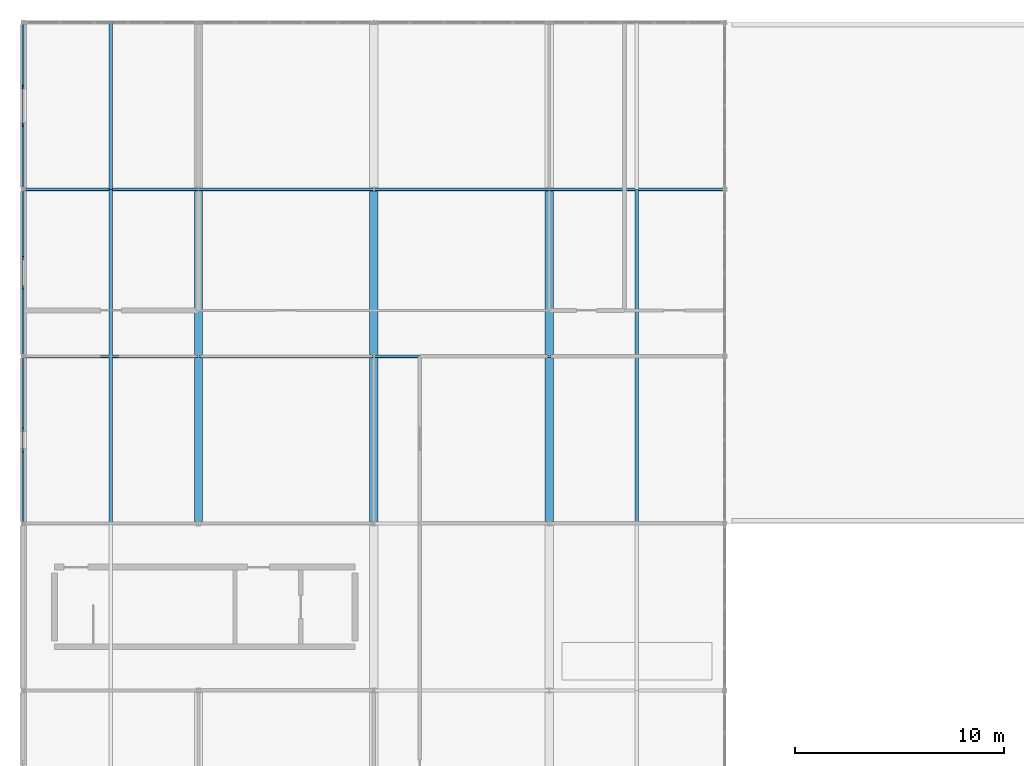
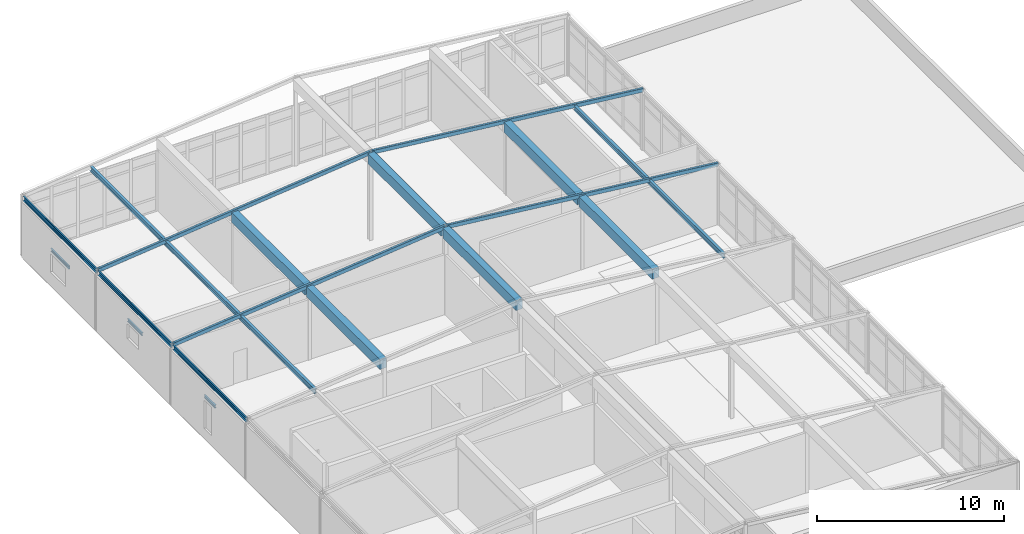
# One storey, part 11 of 25: 17 beams, 4 members.
"""IFC4 building model written with IfcOpenShell, lengths in metres."""

from ifc_helpers import new_model, si_unit, direction, frame, origin, origin_2d, place, context, subcontext, project, spatial, rectangle, hollow_rectangle, i_section, u_section, extrude, material, material_profile, profile_set, type_object, element, save


model = new_model("IFC4")

# Units and contexts
model_context = context("Model", 3, precision=1e-05, world=origin(), true_north=direction((0.0, 1.0)))
body_context = subcontext(model_context, "Body", "Model", "MODEL_VIEW")
ifc_project = project(units=[si_unit("LENGTHUNIT", "METRE"), si_unit("AREAUNIT", "SQUARE_METRE"), si_unit("VOLUMEUNIT", "CUBIC_METRE"), si_unit("PLANEANGLEUNIT", "RADIAN"), si_unit("MASSUNIT", "GRAM", prefix="KILO")], contexts=[model_context])

# Site, building, storey
site_placement = place(None, origin())
site = spatial("IfcSite", under=ifc_project, at=site_placement, CompositionType="ELEMENT")
building_placement = place(site_placement, origin())
building = spatial("IfcBuilding", under=site, at=building_placement, Name="Kranzveld Transit Interchange", CompositionType="ELEMENT")
storey_placement = place(building_placement, frame((0.0, 0.0, 21.0400390625)))
storey = spatial("IfcBuildingStorey", under=building, at=storey_placement, Name="L05", CompositionType="ELEMENT", Elevation=21.0400390625)

# Beams
ifc_material_1 = material(Name="Concrete C35/45", Category="concrete")
ifc_material_profile_1 = material_profile(ifc_material_1, rectangle(XDim=0.39990234375, YDim=0.64990234375, at=origin_2d()), Name="RC 400x650")
ifc_profile_set_1 = profile_set([ifc_material_profile_1], Name="Concrete C35/45")
beam_type_1 = type_object("IfcBeamType", Name="Beam RC 400x650 C35/45", PredefinedType="BEAM", material=ifc_profile_set_1)
for number, where, z_axis, x_axis, name in (
    (1, (8.39990234375, 88.091552734375, 4.494873046875), (0.0, 1.0, 0.0), (-1.0, 0.0, 0.0), "L05 Crown Beam 02/M-N"),
    (2, (8.39990234375, 96.091552734375, 4.494873046875), (0.0, 1.0, 0.0), (-1.0, 0.0, 0.0), "L05 Crown Beam 02/N-P"),
    (3, (16.800048828125, 88.091552734375, 5.39501953125), (0.0, 1.0, 0.0), (-1.0, 0.0, 0.0), "L05 Crown Beam 03/M-N"),
    (4, (16.800048828125, 96.091552734375, 5.39501953125), (0.0, 1.0, 0.0), (-1.0, 0.0, 0.0), "L05 Crown Beam 03/N-P"),
    (5, (25.199951171875, 88.091552734375, 4.494873046875), (0.0, 1.0, 0.0), (-1.0, 0.0, 0.0), "L05 Crown Beam 04/M-N"),
    (6, (25.199951171875, 96.091552734375, 4.494873046875), (0.0, 1.0, 0.0), (-1.0, 0.0, 0.0), "L05 Crown Beam 04/N-P"),
):
    element("IfcBeam", number, at=place(storey_placement, frame(where, z_axis=z_axis, x_axis=x_axis)), inside=storey, type_object=beam_type_1, Name=name, PredefinedType="BEAM", context=body_context, shape_type="SweptSolid", body=[
        extrude(rectangle(XDim=0.39990234375, YDim=0.64990234375, at=origin_2d()), origin(), (0.0, 0.0, 1.0), 7.81689453125),
    ])
ifc_material_2 = material(Name="Steel S355JR", Category="steel")
ifc_material_profile_2 = material_profile(ifc_material_2, u_section(Depth=0.300048828125, FlangeWidth=0.090087890625, WebThickness=0.009033203125, FlangeThickness=0.015380859375, FilletRadius=0.011962890625, at=origin_2d()), Name="PFC 300x90x41")
ifc_profile_set_2 = profile_set([ifc_material_profile_2], Name="Steel S355JR")
beam_type_2 = type_object("IfcBeamType", Name="Edge Spandrel PFC 300x90x41 S355JR", PredefinedType="SPANDREL", material=ifc_profile_set_2)
beam_1_placement = place(storey_placement, frame((0.0, 88.080078125, 3.77001953125), z_axis=(0.0, 1.0, 0.0), x_axis=(-1.0, 0.0, 0.0)))
element("IfcBeam", 7, at=beam_1_placement, inside=storey, type_object=beam_type_2, Name="L05 Crown Beam 01/M-N", PredefinedType="SPANDREL", context=body_context, shape_type="SweptSolid", body=[
    extrude(u_section(Depth=0.300048828125, FlangeWidth=0.090087890625, WebThickness=0.009033203125, FlangeThickness=0.015380859375, FilletRadius=0.011962890625, at=origin_2d()), origin(), (0.0, 0.0, 1.0), 7.829833984375),
])
for number, where, z_axis, x_axis, name in (
    (8, (0.0, 96.090087890625, 3.77001953125), (0.0, 1.0, 0.0), (-1.0, 0.0, 0.0), "L05 Crown Beam 01/N-P"),
    (9, (0.0, 104.090087890625, 3.77001953125), (0.0, 1.0, 0.0), (-1.0, 0.0, 0.0), "L05 Crown Beam 01/P-Q"),
):
    element("IfcBeam", number, at=place(storey_placement, frame(where, z_axis=z_axis, x_axis=x_axis)), inside=storey, type_object=beam_type_2, Name=name, PredefinedType="SPANDREL", context=body_context, shape_type="SweptSolid", body=[
        extrude(u_section(Depth=0.300048828125, FlangeWidth=0.090087890625, WebThickness=0.009033203125, FlangeThickness=0.015380859375, FilletRadius=0.011962890625, at=origin_2d()), origin(), (0.0, 0.0, 1.0), 7.81982421875),
    ])
ifc_material_3 = material(Name="Steel S355JR", Category="steel")
ifc_material_profile_3 = material_profile(ifc_material_3, u_section(Depth=0.199951171875, FlangeWidth=0.074951171875, WebThickness=0.006103515625, FlangeThickness=0.012451171875, FilletRadius=0.011962890625, at=origin_2d()), Name="PFC 200x75x23")
ifc_profile_set_3 = profile_set([ifc_material_profile_3], Name="Steel S355JR")
beam_type_3 = type_object("IfcBeamType", Name="Masonry Lintel PFC 200x75x23 S355JR", PredefinedType="LINTEL", material=ifc_profile_set_3)
beam_2_placement = place(storey_placement, frame((0.0, 107.02001953125, 2.205078125), z_axis=(0.0, 1.0, 0.0), x_axis=(-1.0, 0.0, 0.0)))
element("IfcBeam", 10, at=beam_2_placement, inside=storey, type_object=beam_type_3, Name="L05 Window Lintel 220", PredefinedType="LINTEL", context=body_context, shape_type="SweptSolid", body=[
    extrude(u_section(Depth=0.199951171875, FlangeWidth=0.074951171875, WebThickness=0.006103515625, FlangeThickness=0.012451171875, FilletRadius=0.011962890625, at=origin_2d()), origin(), (0.0, 0.0, 1.0), 1.9599609375),
])
ifc_material_4 = material(Name="Steel S355JR", Category="steel")
ifc_material_profile_4 = material_profile(ifc_material_4, i_section(OverallWidth=0.091064453125, OverallDepth=0.179931640625, WebThickness=0.00537109375, FlangeThickness=0.008056640625, FilletRadius=0.009033203125, at=origin_2d()), Name="IPE 180")
ifc_profile_set_4 = profile_set([ifc_material_profile_4], Name="Steel S355JR")
beam_type_4 = type_object("IfcBeamType", Name="Opening Lintel IPE 180 S355JR", PredefinedType="LINTEL", material=ifc_profile_set_4)
beam_3_placement = place(storey_placement, frame((0.0, 99.219970703125, 2.594970703125), z_axis=(0.0, 1.0, 0.0), x_axis=(-1.0, 0.0, 0.0)))
element("IfcBeam", 11, at=beam_3_placement, inside=storey, type_object=beam_type_4, Name="L05 Window Lintel 219", PredefinedType="LINTEL", context=body_context, shape_type="SweptSolid", body=[
    extrude(i_section(OverallWidth=0.091064453125, OverallDepth=0.179931640625, WebThickness=0.00537109375, FlangeThickness=0.008056640625, FilletRadius=0.009033203125, at=origin_2d()), origin(), (0.0, 0.0, 1.0), 1.56005859375),
])
ifc_material_5 = material(Name="Steel S355JR", Category="steel")
ifc_material_profile_5 = material_profile(ifc_material_5, i_section(OverallWidth=0.10009765625, OverallDepth=0.199951171875, WebThickness=0.005615234375, FlangeThickness=0.008544921875, FilletRadius=0.011962890625, at=origin_2d()), Name="IPE 200")
ifc_profile_set_5 = profile_set([ifc_material_profile_5], Name="Steel S355JR")
beam_type_5 = type_object("IfcBeamType", Name="Opening Lintel IPE 200 S355JR", PredefinedType="LINTEL", material=ifc_profile_set_5)
beam_4_placement = place(storey_placement, frame((0.0, 91.4150390625, 2.60498046875), z_axis=(0.0, 1.0, 0.0), x_axis=(-1.0, 0.0, 0.0)))
element("IfcBeam", 12, at=beam_4_placement, inside=storey, type_object=beam_type_5, Name="L05 Window Lintel 218", PredefinedType="LINTEL", context=body_context, shape_type="SweptSolid", body=[
    extrude(i_section(OverallWidth=0.10009765625, OverallDepth=0.199951171875, WebThickness=0.005615234375, FlangeThickness=0.008544921875, FilletRadius=0.011962890625, at=origin_2d()), origin(), (0.0, 0.0, 1.0), 1.159912109375),
])
ifc_material_6 = material(Name="Steel S355JR", Category="steel")
ifc_material_profile_6 = material_profile(ifc_material_6, i_section(OverallWidth=0.1650390625, OverallDepth=0.303466796875, WebThickness=0.006103515625, FlangeThickness=0.01025390625, FilletRadius=0.0087890625, at=origin_2d()), Name="UB 305x165x40")
ifc_profile_set_6 = profile_set([ifc_material_profile_6], Name="Steel S355JR")
beam_type_6 = type_object("IfcBeamType", Name="Roof Joist UB 305x165x40 S355JR", PredefinedType="JOIST", material=ifc_profile_set_6)
for number, where, z_axis, x_axis, name in (
    (13, (4.199951171875, 88.0, 4.217041015625), (0.0, 1.0, 0.0), (-1.0, 0.0, 0.0), "L05 Crown Roof Joist M-N W"),
    (14, (29.39990234375, 88.0, 4.217041015625), (0.0, 1.0, 0.0), (-1.0, 0.0, 0.0), "L05 Crown Roof Joist M-N E"),
    (15, (4.199951171875, 96.0, 4.217041015625), (0.0, 1.0, 0.0), (-1.0, 0.0, 0.0), "L05 Crown Roof Joist N-P W"),
    (16, (29.39990234375, 96.0, 4.217041015625), (0.0, 1.0, 0.0), (-1.0, 0.0, 0.0), "L05 Crown Roof Joist N-P E"),
    (17, (4.199951171875, 104.0, 4.217041015625), (0.0, 1.0, 0.0), (-1.0, 0.0, 0.0), "L05 Crown Roof Joist P-Q W"),
):
    element("IfcBeam", number, at=place(storey_placement, frame(where, z_axis=z_axis, x_axis=x_axis)), inside=storey, type_object=beam_type_6, Name=name, PredefinedType="JOIST", context=body_context, shape_type="SweptSolid", body=[
        extrude(i_section(OverallWidth=0.1650390625, OverallDepth=0.303466796875, WebThickness=0.006103515625, FlangeThickness=0.01025390625, FilletRadius=0.0087890625, at=origin_2d()), origin(), (0.0, 0.0, 1.0), 8.0),
    ])

# Members
ifc_material_7 = material(Name="Steel S355JR", Category="steel")
ifc_material_profile_7 = material_profile(ifc_material_7, hollow_rectangle(XDim=0.14990234375, YDim=0.25, WallThickness=0.008056640625, InnerFilletRadius=0.011962890625, OuterFilletRadius=0.02001953125, at=origin_2d()), Name="RHS 250x150x8")
ifc_profile_set_7 = profile_set([ifc_material_profile_7], Name="Steel S355JR")
member_type = type_object("IfcMemberType", Name="Truss Chord RHS 250x150x8 S355JR", PredefinedType="CHORD", material=ifc_profile_set_7)
for number, where, z_axis, x_axis, name in (
    (18, (0.0, 96.0, 3.8798828125), (0.994308880598, 0.0, 0.106535674606), (0.0, 1.0, 0.0), "L05 Vaulted Crown Rafter N-W"),
    (19, (16.800048828125, 96.0, 5.679931640625), (0.994308880598, 0.0, -0.106535674606), (0.0, 1.0, 0.0), "L05 Vaulted Crown Rafter N-E"),
    (20, (0.0, 104.0, 3.8798828125), (0.994308880598, 0.0, 0.106535674606), (0.0, 1.0, 0.0), "L05 Vaulted Crown Rafter P-W"),
    (21, (16.800048828125, 104.0, 5.679931640625), (0.994308880598, 0.0, -0.106535674606), (0.0, 1.0, 0.0), "L05 Vaulted Crown Rafter P-E"),
):
    element("IfcMember", number, at=place(storey_placement, frame(where, z_axis=z_axis, x_axis=x_axis)), inside=storey, type_object=member_type, Name=name, PredefinedType="CHORD", context=body_context, shape_type="SweptSolid", body=[
        extrude(hollow_rectangle(XDim=0.14990234375, YDim=0.25, WallThickness=0.008056640625, InnerFilletRadius=0.011962890625, OuterFilletRadius=0.02001953125, at=origin_2d()), origin(), (0.0, 0.0, 1.0), 16.896240234375),
    ])

save(model, "model.ifc")
